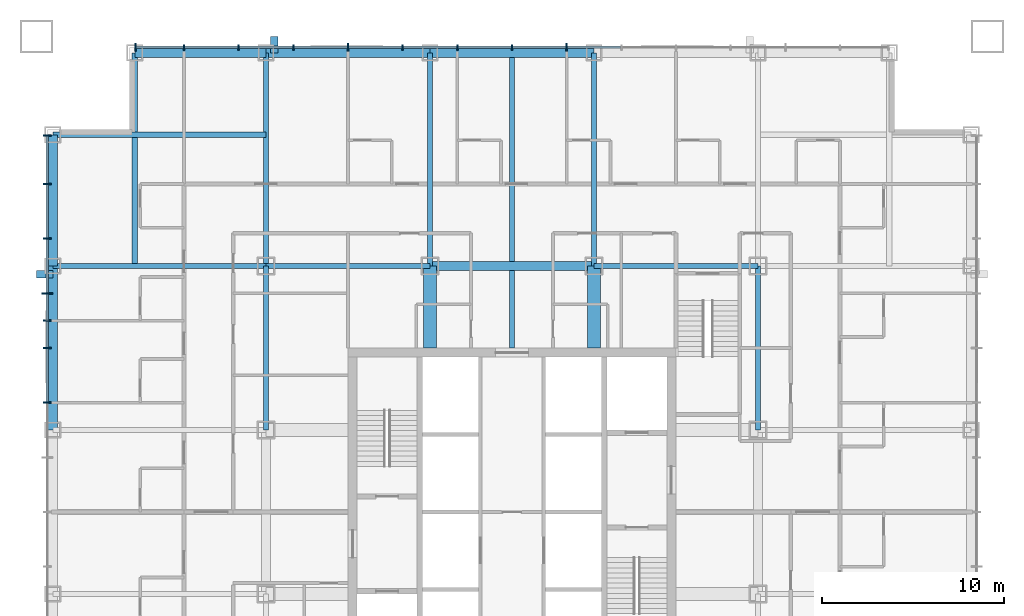
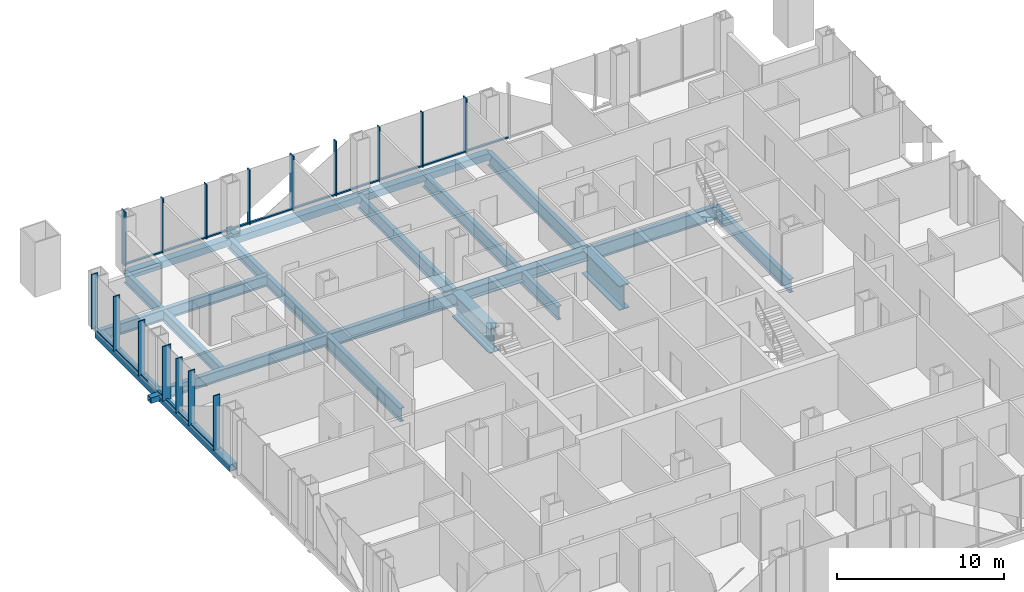
# One storey, part 4 of 14: 33 members, 19 beams, 2 elements without a shape of their own.
"""IFC4 building model written with IfcOpenShell, lengths in metres."""

import ifcopenshell
import ifcopenshell.guid

model = None  # the IFC model being written
_history = None  # IfcOwnerHistory: only IFC2X3 demands one
_inside = {}  # id of a spatial element -> (the spatial element, [elements in it])
_under = {}  # id of a project, library or spatial element -> (it, [spatial elements below it])
_declared = {}  # id of a project -> (the project, [libraries it declares])
_typed = {}  # id of a type object -> (the type object, [elements of that type])
_made_of = {}  # id of a material, layer set ... -> (it, [elements and type objects made of it])


def new_model(schema):
    """Start an empty IFC model of exactly this schema.

    Asked for "IFC4X3", IfcOpenShell would pick the latest addendum, in which some entities
    have other attributes; the version numbers below select the first issue.
    IFC2X3 requires an IfcOwnerHistory on every rooted entity: one is made here for all.
    """
    global model, _history
    if schema == "IFC4X3":
        model = ifcopenshell.file(schema_version=(4, 3, 0, 0))
    else:
        model = ifcopenshell.file(schema=schema)
    _inside.clear()
    _under.clear()
    _declared.clear()
    _typed.clear()
    _made_of.clear()
    _history = None
    if model.schema == "IFC2X3":
        org = make("IfcOrganization", Name="unknown")
        user = make(
            "IfcPersonAndOrganization",
            ThePerson=make("IfcPerson", FamilyName="unknown"),
            TheOrganization=org,
        )
        app = make(
            "IfcApplication",
            ApplicationDeveloper=org,
            Version="unknown",
            ApplicationFullName="unknown",
            ApplicationIdentifier="unknown",
        )
        _history = make(
            "IfcOwnerHistory",
            OwningUser=user,
            OwningApplication=app,
            ChangeAction="ADDED",
            CreationDate=0,
        )
    return model


def make(cls, **values):
    """One entity of the class cls with the attributes given. An attribute that is None is left unset."""
    return model.create_entity(
        cls, **{name: value for name, value in values.items() if value is not None}
    )


def rooted(cls, **values):
    """An entity with a GlobalId (a new one), such as an element, a storey or a relation."""
    return make(cls, GlobalId=ifcopenshell.guid.new(), OwnerHistory=_history, **values)


def si_unit(unit_type, name, prefix=None):
    """IfcSIUnit, for example si_unit("LENGTHUNIT", "METRE", prefix="MILLI")."""
    return make("IfcSIUnit", UnitType=unit_type, Prefix=prefix, Name=name)


def assignment(units):
    """IfcUnitAssignment: the units of a project."""
    return None if units is None else make("IfcUnitAssignment", Units=units)


def point(xyz):
    """IfcCartesianPoint."""
    return None if xyz is None else make("IfcCartesianPoint", Coordinates=xyz)


def direction(xyz):
    """IfcDirection."""
    return None if xyz is None else make("IfcDirection", DirectionRatios=xyz)


def frame(location, z_axis=None, x_axis=None):
    """IfcAxis2Placement3D, a coordinate frame: its origin and axes. An axis left out is left unset."""
    return make(
        "IfcAxis2Placement3D",
        Location=point(location),
        Axis=direction(z_axis),
        RefDirection=direction(x_axis),
    )


def frame_2d(location, x_axis=None):
    """IfcAxis2Placement2D, a coordinate frame in the plane: its origin and x axis."""
    return make(
        "IfcAxis2Placement2D", Location=point(location), RefDirection=direction(x_axis)
    )


def origin():
    """The frame at (0, 0, 0) with its axes left unset."""
    return frame((0.0, 0.0, 0.0))


def origin_2d():
    """The frame at (0, 0) in the plane with its x axis left unset."""
    return frame_2d((0.0, 0.0))


def place(relative_to, where):
    """IfcLocalPlacement: puts the frame where relative to a parent placement (None: the world)."""
    return make(
        "IfcLocalPlacement", PlacementRelTo=relative_to, RelativePlacement=where
    )


def context(
    kind, dimensions, precision=None, world=None, true_north=None, identifier=None
):
    """IfcGeometricRepresentationContext, for example the 3D "Model" context."""
    return make(
        "IfcGeometricRepresentationContext",
        ContextIdentifier=identifier,
        ContextType=kind,
        CoordinateSpaceDimension=dimensions,
        Precision=precision,
        WorldCoordinateSystem=world,
        TrueNorth=true_north,
    )


def subcontext(parent, identifier, kind, view, scale=None):
    """IfcGeometricRepresentationSubContext, for example "Body" below "Model"."""
    return make(
        "IfcGeometricRepresentationSubContext",
        ContextIdentifier=identifier,
        ContextType=kind,
        ParentContext=parent,
        TargetScale=scale,
        TargetView=view,
    )


def project(units=None, contexts=None):
    """IfcProject with its units and contexts."""
    return rooted(
        "IfcProject",
        Name="project",
        RepresentationContexts=contexts,
        UnitsInContext=assignment(units),
    )


def spatial(cls, under=None, at=None, **own):
    """A site, building, storey or space (cls), placed at a placement, below another one or the project."""
    s = rooted(cls, ObjectPlacement=at, **own)
    if under is not None:
        _under.setdefault(under.id(), (under, []))[1].append(s)
    return s


def profile(cls, at=None, kind="AREA", **sizes):
    """A parametric profile (cls). Its sizes go by their IFC names, for example OverallWidth=200.0."""
    return make(cls, ProfileType=kind, Position=at, **sizes)


def rectangle(**sizes):
    """IfcRectangleProfileDef."""
    return profile("IfcRectangleProfileDef", **sizes)


def hollow_rectangle(**sizes):
    """IfcRectangleHollowProfileDef."""
    return profile("IfcRectangleHollowProfileDef", **sizes)


def i_section(**sizes):
    """IfcIShapeProfileDef."""
    return profile("IfcIShapeProfileDef", **sizes)


def extrude(swept, where, along, depth):
    """IfcExtrudedAreaSolid: the profile swept, set in the frame where, extruded along a direction by depth."""
    return make(
        "IfcExtrudedAreaSolid",
        SweptArea=swept,
        Position=where,
        ExtrudedDirection=direction(along),
        Depth=depth,
    )


def shape(context_of_items, identifier, shape_type, items):
    """IfcShapeRepresentation: the items that make up one representation, for example the "Body"."""
    return make(
        "IfcShapeRepresentation",
        ContextOfItems=context_of_items,
        RepresentationIdentifier=identifier,
        RepresentationType=shape_type,
        Items=items,
    )


def material(Name=None, Category=None):
    """IfcMaterial."""
    return make("IfcMaterial", Name=Name, Category=Category)


def layer(
    of_material, thickness, ventilated=None, Name=None, Category=None, Priority=None
):
    """IfcMaterialLayer: one layer of a wall or slab, of a material (None: an air gap)."""
    return make(
        "IfcMaterialLayer",
        Material=of_material,
        LayerThickness=thickness,
        IsVentilated=ventilated,
        Name=Name,
        Category=Category,
        Priority=Priority,
    )


def layer_set(layers, Name=None):
    """IfcMaterialLayerSet."""
    return make("IfcMaterialLayerSet", MaterialLayers=layers, LayerSetName=Name)


def material_profile(
    of_material, cross_section, Name=None, Category=None, Priority=None
):
    """IfcMaterialProfile: a cross section and its material."""
    return make(
        "IfcMaterialProfile",
        Name=Name,
        Material=of_material,
        Profile=cross_section,
        Priority=Priority,
        Category=Category,
    )


def profile_set(profiles, Name=None, composite=None):
    """IfcMaterialProfileSet."""
    return make(
        "IfcMaterialProfileSet",
        Name=Name,
        MaterialProfiles=profiles,
        CompositeProfile=composite,
    )


def made_of(thing, what):
    """Note that an element or type object is made of a material, layer set ...; save() writes the relation."""
    if what is not None:
        _made_of.setdefault(what.id(), (what, []))[1].append(thing)
    return thing


def type_object(cls, material=None, **own):
    """A type object (cls), such as IfcWallType, which elements share."""
    return made_of(rooted(cls, **own), material)


def element(
    cls,
    number,
    at=None,
    inside=None,
    cuts=None,
    type_object=None,
    material=None,
    context=None,
    identifier="Body",
    shape_type=None,
    held_by="IfcProductDefinitionShape",
    body=None,
    shapes=None,
    **own,
):
    """One element of the class cls, such as IfcWall. Its Tag is "e" and its number.

    at: its placement. inside: the storey or other place that contains it. cuts: it is an
    opening in that element (IfcRelVoidsElement). A single representation is given by context,
    identifier, shape_type and body (its items); several are given by shapes. held_by: the class
    of the entity that holds the representations. save() writes the other relations.
    """
    e = rooted(cls, Tag="e%d" % number, ObjectPlacement=at, **own)
    if body is not None:
        shapes = [shape(context, identifier, shape_type, body)]
    if shapes is not None:
        e.Representation = make(held_by, Representations=shapes)
    if inside is not None:
        _inside.setdefault(inside.id(), (inside, []))[1].append(e)
    if cuts is not None:
        rooted(
            "IfcRelVoidsElement", RelatingBuildingElement=cuts, RelatedOpeningElement=e
        )
    if type_object is not None:
        _typed.setdefault(type_object.id(), (type_object, []))[1].append(e)
    return made_of(e, material)


def aggregate(whole, parts):
    """IfcRelAggregates: a whole, such as a stair, and the parts it consists of."""
    return rooted("IfcRelAggregates", RelatingObject=whole, RelatedObjects=parts)


def save(model, path):
    """Write the relations noted so far, then the file.

    IfcRelAggregates (storeys below a building ...), IfcRelContainedInSpatialStructure (elements
    in a storey), IfcRelDefinesByType, IfcRelAssociatesMaterial and IfcRelDeclares: one each for
    every whole, place, type object, material and project.
    """
    for whole, parts in _under.values():
        aggregate(whole, parts)
    for where, things in _inside.values():
        rooted(
            "IfcRelContainedInSpatialStructure",
            RelatedElements=things,
            RelatingStructure=where,
        )
    for kind, things in _typed.values():
        rooted("IfcRelDefinesByType", RelatedObjects=things, RelatingType=kind)
    for what, things in _made_of.values():
        rooted("IfcRelAssociatesMaterial", RelatedObjects=things, RelatingMaterial=what)
    for by, libraries in _declared.values():
        rooted("IfcRelDeclares", RelatingContext=by, RelatedDefinitions=libraries)
    model.write(path)


model = new_model("IFC4")

# Units and contexts
model_context = context("Model", 3, precision=1e-05, world=origin(), true_north=direction((0.0, 1.0)))
body_context = subcontext(model_context, "Body", "Model", "MODEL_VIEW")
ifc_project = project(units=[si_unit("LENGTHUNIT", "METRE"), si_unit("AREAUNIT", "SQUARE_METRE"), si_unit("VOLUMEUNIT", "CUBIC_METRE"), si_unit("PLANEANGLEUNIT", "RADIAN"), si_unit("MASSUNIT", "GRAM", prefix="KILO")], contexts=[model_context])

# Site, building, storey
site_placement = place(None, origin())
site = spatial("IfcSite", under=ifc_project, at=site_placement, CompositionType="ELEMENT")
building_placement = place(site_placement, origin())
building = spatial("IfcBuilding", under=site, at=building_placement, Name="Malebo Sky Hospital", CompositionType="ELEMENT")
storey_placement = place(building_placement, frame((0.0, 0.0, 71.0)))
storey = spatial("IfcBuildingStorey", under=building, at=storey_placement, Name="L16", CompositionType="ELEMENT", Elevation=71.0)

# Curtain wall, members
ifc_material_1 = material(Name="Anodised aluminium, natural silver", Category="aluminium")
ifc_layer_1 = layer(ifc_material_1, 0.25)
ifc_layer_set_1 = layer_set([ifc_layer_1], Name="WARD CURTAIN WALL NORTH AND SOUTH")
curtain_wall_type_1 = type_object("IfcCurtainWallType", Name="WARD CURTAIN WALL NORTH AND SOUTH", PredefinedType="NOTDEFINED", material=ifc_layer_set_1)
curtain_wall_1_placement = place(storey_placement, origin())
curtain_wall_1 = element("IfcCurtainWall", 1, at=curtain_wall_1_placement, inside=storey, type_object=curtain_wall_type_1, Name="NS curtain wall N", PredefinedType="NOTDEFINED")
ifc_material_profile_1 = material_profile(ifc_material_1, rectangle(XDim=0.14990234375, YDim=0.10009765625, at=origin_2d()), Name="ALUMINIUM TRANSOM 150x100")
ifc_profile_set_1 = profile_set([ifc_material_profile_1], Name="Anodised aluminium, natural silver")
member_type_1 = type_object("IfcMemberType", Name="ALUMINIUM TRANSOM 150x100", PredefinedType="USERDEFINED", material=ifc_profile_set_1)
member_1_placement = place(storey_placement, frame((39.375, 87.5, 0.050048828125), z_axis=(1.0, 0.0, 0.0), x_axis=(0.0, 1.0, 0.0)))
member_1 = element("IfcMember", 2, at=member_1_placement, type_object=member_type_1, Name="Transom 1", ObjectType="TRANSOM", PredefinedType="USERDEFINED", context=body_context, shape_type="SweptSolid", body=[
    extrude(rectangle(XDim=0.14990234375, YDim=0.10009765625, at=origin_2d()), origin(), (0.0, 0.0, 1.0), 2.58740234375),
])
member_2_placement = place(storey_placement, frame((42.03759765625, 87.5, 0.050048828125), z_axis=(1.0, 0.0, 0.0), x_axis=(0.0, 1.0, 0.0)))
member_2 = element("IfcMember", 3, at=member_2_placement, type_object=member_type_1, Name="Transom 2", ObjectType="TRANSOM", PredefinedType="USERDEFINED", context=body_context, shape_type="SweptSolid", body=[
    extrude(rectangle(XDim=0.14990234375, YDim=0.10009765625, at=origin_2d()), origin(), (0.0, 0.0, 1.0), 2.9248046875),
])
member_3_placement = place(storey_placement, frame((45.03759765625, 87.5, 0.050048828125), z_axis=(1.0, 0.0, 0.0), x_axis=(0.0, 1.0, 0.0)))
member_3 = element("IfcMember", 4, at=member_3_placement, type_object=member_type_1, Name="Transom 3", ObjectType="TRANSOM", PredefinedType="USERDEFINED", context=body_context, shape_type="SweptSolid", body=[
    extrude(rectangle(XDim=0.14990234375, YDim=0.10009765625, at=origin_2d()), origin(), (0.0, 0.0, 1.0), 2.9248046875),
])
member_4_placement = place(storey_placement, frame((48.03759765625, 87.5, 0.050048828125), z_axis=(1.0, 0.0, 0.0), x_axis=(0.0, 1.0, 0.0)))
member_4 = element("IfcMember", 5, at=member_4_placement, type_object=member_type_1, Name="Transom 4", ObjectType="TRANSOM", PredefinedType="USERDEFINED", context=body_context, shape_type="SweptSolid", body=[
    extrude(rectangle(XDim=0.14990234375, YDim=0.10009765625, at=origin_2d()), origin(), (0.0, 0.0, 1.0), 2.9248046875),
])
member_5_placement = place(storey_placement, frame((51.03759765625, 87.5, 0.050048828125), z_axis=(1.0, 0.0, 0.0), x_axis=(0.0, 1.0, 0.0)))
member_5 = element("IfcMember", 6, at=member_5_placement, type_object=member_type_1, Name="Transom 5", ObjectType="TRANSOM", PredefinedType="USERDEFINED", context=body_context, shape_type="SweptSolid", body=[
    extrude(rectangle(XDim=0.14990234375, YDim=0.10009765625, at=origin_2d()), origin(), (0.0, 0.0, 1.0), 2.9248046875),
])
member_6_placement = place(storey_placement, frame((54.03759765625, 87.5, 0.050048828125), z_axis=(1.0, 0.0, 0.0), x_axis=(0.0, 1.0, 0.0)))
member_6 = element("IfcMember", 7, at=member_6_placement, type_object=member_type_1, Name="Transom 6", ObjectType="TRANSOM", PredefinedType="USERDEFINED", context=body_context, shape_type="SweptSolid", body=[
    extrude(rectangle(XDim=0.14990234375, YDim=0.10009765625, at=origin_2d()), origin(), (0.0, 0.0, 1.0), 2.9248046875),
])
member_7_placement = place(storey_placement, frame((57.03759765625, 87.5, 0.050048828125), z_axis=(1.0, 0.0, 0.0), x_axis=(0.0, 1.0, 0.0)))
member_7 = element("IfcMember", 8, at=member_7_placement, type_object=member_type_1, Name="Transom 7", ObjectType="TRANSOM", PredefinedType="USERDEFINED", context=body_context, shape_type="SweptSolid", body=[
    extrude(rectangle(XDim=0.14990234375, YDim=0.10009765625, at=origin_2d()), origin(), (0.0, 0.0, 1.0), 2.9248046875),
])
member_8_placement = place(storey_placement, frame((60.03759765625, 87.5, 0.050048828125), z_axis=(1.0, 0.0, 0.0), x_axis=(0.0, 1.0, 0.0)))
member_8 = element("IfcMember", 9, at=member_8_placement, type_object=member_type_1, Name="Transom 8", ObjectType="TRANSOM", PredefinedType="USERDEFINED", context=body_context, shape_type="SweptSolid", body=[
    extrude(rectangle(XDim=0.14990234375, YDim=0.10009765625, at=origin_2d()), origin(), (0.0, 0.0, 1.0), 2.9248046875),
])
member_9_placement = place(storey_placement, frame((63.03759765625, 87.5, 0.050048828125), z_axis=(1.0, 0.0, 0.0), x_axis=(0.0, 1.0, 0.0)))
member_9 = element("IfcMember", 10, at=member_9_placement, type_object=member_type_1, Name="Transom 9", ObjectType="TRANSOM", PredefinedType="USERDEFINED", context=body_context, shape_type="SweptSolid", body=[
    extrude(rectangle(XDim=0.14990234375, YDim=0.10009765625, at=origin_2d()), origin(), (0.0, 0.0, 1.0), 2.9248046875),
])

ifc_layer_2 = layer(ifc_material_1, 0.25)
ifc_layer_set_2 = layer_set([ifc_layer_2], Name="WARD CURTAIN WALL EAST AND WEST")
curtain_wall_type_2 = type_object("IfcCurtainWallType", Name="WARD CURTAIN WALL EAST AND WEST", PredefinedType="NOTDEFINED", material=ifc_layer_set_2)
curtain_wall_2_placement = place(storey_placement, origin())
curtain_wall_2 = element("IfcCurtainWall", 11, at=curtain_wall_2_placement, inside=storey, type_object=curtain_wall_type_2, Name="EW curtain wall W", PredefinedType="NOTDEFINED")
member_10_placement = place(storey_placement, frame((34.5, 68.03759765625, 0.050048828125), z_axis=(0.0, 1.0, 0.0), x_axis=(-1.0, 0.0, 0.0)))
member_10 = element("IfcMember", 12, at=member_10_placement, type_object=member_type_1, Name="Transom 10", ObjectType="TRANSOM", PredefinedType="USERDEFINED", context=body_context, shape_type="SweptSolid", body=[
    extrude(rectangle(XDim=0.14990234375, YDim=0.10009765625, at=origin_2d()), origin(), (0.0, 0.0, 1.0), 2.9248046875),
])
member_11_placement = place(storey_placement, frame((34.5, 71.03759765625, 0.050048828125), z_axis=(0.0, 1.0, 0.0), x_axis=(-1.0, 0.0, 0.0)))
member_11 = element("IfcMember", 13, at=member_11_placement, type_object=member_type_1, Name="Transom 11", ObjectType="TRANSOM", PredefinedType="USERDEFINED", context=body_context, shape_type="SweptSolid", body=[
    extrude(rectangle(XDim=0.14990234375, YDim=0.10009765625, at=origin_2d()), origin(), (0.0, 0.0, 1.0), 1.4248046875),
])
member_12_placement = place(storey_placement, frame((34.5, 72.53759765625, 0.050048828125), z_axis=(0.0, 1.0, 0.0), x_axis=(-1.0, 0.0, 0.0)))
member_12 = element("IfcMember", 14, at=member_12_placement, type_object=member_type_1, Name="Transom 12", ObjectType="TRANSOM", PredefinedType="USERDEFINED", context=body_context, shape_type="SweptSolid", body=[
    extrude(rectangle(XDim=0.14990234375, YDim=0.10009765625, at=origin_2d()), origin(), (0.0, 0.0, 1.0), 1.4248046875),
])
member_13_placement = place(storey_placement, frame((34.5, 74.03759765625, 0.050048828125), z_axis=(0.0, 1.0, 0.0), x_axis=(-1.0, 0.0, 0.0)))
member_13 = element("IfcMember", 15, at=member_13_placement, type_object=member_type_1, Name="Transom 13", ObjectType="TRANSOM", PredefinedType="USERDEFINED", context=body_context, shape_type="SweptSolid", body=[
    extrude(rectangle(XDim=0.14990234375, YDim=0.10009765625, at=origin_2d()), origin(), (0.0, 0.0, 1.0), 2.9248046875),
])
member_14_placement = place(storey_placement, frame((34.5, 77.03759765625, 0.050048828125), z_axis=(0.0, 1.0, 0.0), x_axis=(-1.0, 0.0, 0.0)))
member_14 = element("IfcMember", 16, at=member_14_placement, type_object=member_type_1, Name="Transom 14", ObjectType="TRANSOM", PredefinedType="USERDEFINED", context=body_context, shape_type="SweptSolid", body=[
    extrude(rectangle(XDim=0.14990234375, YDim=0.10009765625, at=origin_2d()), origin(), (0.0, 0.0, 1.0), 2.9248046875),
])
member_15_placement = place(storey_placement, frame((34.5, 80.03759765625, 0.050048828125), z_axis=(0.0, 1.0, 0.0), x_axis=(-1.0, 0.0, 0.0)))
member_15 = element("IfcMember", 17, at=member_15_placement, type_object=member_type_1, Name="Transom 15", ObjectType="TRANSOM", PredefinedType="USERDEFINED", context=body_context, shape_type="SweptSolid", body=[
    extrude(rectangle(XDim=0.14990234375, YDim=0.10009765625, at=origin_2d()), origin(), (0.0, 0.0, 1.0), 2.58740234375),
])

# Members
ifc_material_2 = material(Name="Steel S355", Category="steel")
ifc_material_profile_2 = material_profile(ifc_material_2, hollow_rectangle(XDim=0.39990234375, YDim=0.39990234375, WallThickness=0.02001953125, at=origin_2d()), Name="SHS 400x20")
ifc_profile_set_2 = profile_set([ifc_material_profile_2], Name="Steel S355")
member_type_2 = type_object("IfcMemberType", Name="BRACE STRUT SHS 400x20", PredefinedType="STRUT", material=ifc_profile_set_2)
for number, where, z_axis, x_axis, name in (
    (18, (46.949951171875, 88.10009765625, -0.39990234375), (0.0, -1.0, 0.0), (1.0, 0.0, 0.0), "Brace strut AN2 L16"),
    (19, (33.89990234375, 75.050048828125, -0.39990234375), (1.0, 0.0, 0.0), (0.0, 1.0, 0.0), "Brace strut AW1 L16"),
):
    element("IfcMember", number, at=place(storey_placement, frame(where, z_axis=z_axis, x_axis=x_axis)), inside=storey, type_object=member_type_2, Name=name, PredefinedType="STRUT", context=body_context, shape_type="SweptSolid", body=[
        extrude(hollow_rectangle(XDim=0.39990234375, YDim=0.39990234375, WallThickness=0.02001953125, at=origin_2d()), origin(), (0.0, 0.0, 1.0), 0.900146484375),
    ])

# Member
ifc_material_profile_3 = material_profile(ifc_material_1, rectangle(XDim=0.074951171875, YDim=0.300048828125, at=origin_2d()), Name="CW1 ALUMINIUM FIN MULLION 75x300")
ifc_profile_set_3 = profile_set([ifc_material_profile_3], Name="Anodised aluminium, natural silver")
member_type_3 = type_object("IfcMemberType", Name="CW1 ALUMINIUM FIN MULLION 75x300", PredefinedType="MULLION", material=ifc_profile_set_3)
member_16_placement = place(storey_placement, frame((42.0, 87.5, 0.0), z_axis=(0.0, 0.0, 1.0), x_axis=(1.0, 0.0, 0.0)))
member_16 = element("IfcMember", 20, at=member_16_placement, type_object=member_type_3, Name="Fin mullion 2", PredefinedType="MULLION", context=body_context, shape_type="SweptSolid", body=[
    extrude(rectangle(XDim=0.074951171875, YDim=0.300048828125, at=origin_2d()), origin(), (0.0, 0.0, 1.0), 4.0),
])

member_17_placement = place(storey_placement, frame((45.0, 87.5, 0.0), z_axis=(0.0, 0.0, 1.0), x_axis=(1.0, 0.0, 0.0)))
member_17 = element("IfcMember", 21, at=member_17_placement, type_object=member_type_3, Name="Fin mullion 3", PredefinedType="MULLION", context=body_context, shape_type="SweptSolid", body=[
    extrude(rectangle(XDim=0.074951171875, YDim=0.300048828125, at=origin_2d()), origin(), (0.0, 0.0, 1.0), 4.0),
])

member_18_placement = place(storey_placement, frame((48.0, 87.5, 0.0), z_axis=(0.0, 0.0, 1.0), x_axis=(1.0, 0.0, 0.0)))
member_18 = element("IfcMember", 22, at=member_18_placement, type_object=member_type_3, Name="Fin mullion 4", PredefinedType="MULLION", context=body_context, shape_type="SweptSolid", body=[
    extrude(rectangle(XDim=0.074951171875, YDim=0.300048828125, at=origin_2d()), origin(), (0.0, 0.0, 1.0), 4.0),
])

member_19_placement = place(storey_placement, frame((54.0, 87.5, 0.0), z_axis=(0.0, 0.0, 1.0), x_axis=(1.0, 0.0, 0.0)))
member_19 = element("IfcMember", 23, at=member_19_placement, type_object=member_type_3, Name="Fin mullion 6", PredefinedType="MULLION", context=body_context, shape_type="SweptSolid", body=[
    extrude(rectangle(XDim=0.074951171875, YDim=0.300048828125, at=origin_2d()), origin(), (0.0, 0.0, 1.0), 4.0),
])

member_20_placement = place(storey_placement, frame((57.0, 87.5, 0.0), z_axis=(0.0, 0.0, 1.0), x_axis=(1.0, 0.0, 0.0)))
member_20 = element("IfcMember", 24, at=member_20_placement, type_object=member_type_3, Name="Fin mullion 7", PredefinedType="MULLION", context=body_context, shape_type="SweptSolid", body=[
    extrude(rectangle(XDim=0.074951171875, YDim=0.300048828125, at=origin_2d()), origin(), (0.0, 0.0, 1.0), 4.0),
])

member_21_placement = place(storey_placement, frame((60.0, 87.5, 0.0), z_axis=(0.0, 0.0, 1.0), x_axis=(1.0, 0.0, 0.0)))
member_21 = element("IfcMember", 25, at=member_21_placement, type_object=member_type_3, Name="Fin mullion 8", PredefinedType="MULLION", context=body_context, shape_type="SweptSolid", body=[
    extrude(rectangle(XDim=0.074951171875, YDim=0.300048828125, at=origin_2d()), origin(), (0.0, 0.0, 1.0), 4.0),
])

ifc_material_profile_4 = material_profile(ifc_material_1, rectangle(XDim=0.074951171875, YDim=0.449951171875, at=origin_2d()), Name="CW1 ALUMINIUM FIN MULLION 75x450")
ifc_profile_set_4 = profile_set([ifc_material_profile_4], Name="Anodised aluminium, natural silver")
member_type_4 = type_object("IfcMemberType", Name="CW1 ALUMINIUM FIN MULLION 75x450", PredefinedType="MULLION", material=ifc_profile_set_4)
member_22_placement = place(storey_placement, frame((39.33740234375, 87.5, 0.0), z_axis=(0.0, 0.0, 1.0), x_axis=(1.0, 0.0, 0.0)))
member_22 = element("IfcMember", 26, at=member_22_placement, type_object=member_type_4, Name="Fin mullion 1", PredefinedType="MULLION", context=body_context, shape_type="SweptSolid", body=[
    extrude(rectangle(XDim=0.074951171875, YDim=0.449951171875, at=origin_2d()), origin(), (0.0, 0.0, 1.0), 4.0),
])

member_23_placement = place(storey_placement, frame((51.0, 87.5, 0.0), z_axis=(0.0, 0.0, 1.0), x_axis=(1.0, 0.0, 0.0)))
member_23 = element("IfcMember", 27, at=member_23_placement, type_object=member_type_4, Name="Fin mullion 5", PredefinedType="MULLION", context=body_context, shape_type="SweptSolid", body=[
    extrude(rectangle(XDim=0.074951171875, YDim=0.449951171875, at=origin_2d()), origin(), (0.0, 0.0, 1.0), 4.0),
])

member_24_placement = place(storey_placement, frame((63.0, 87.5, 0.0), z_axis=(0.0, 0.0, 1.0), x_axis=(1.0, 0.0, 0.0)))
member_24 = element("IfcMember", 28, at=member_24_placement, type_object=member_type_4, Name="Fin mullion 9", PredefinedType="MULLION", context=body_context, shape_type="SweptSolid", body=[
    extrude(rectangle(XDim=0.074951171875, YDim=0.449951171875, at=origin_2d()), origin(), (0.0, 0.0, 1.0), 4.0),
])

aggregate(curtain_wall_1, [member_22, member_16, member_17, member_18, member_23, member_19, member_20, member_21, member_24, member_1, member_2, member_3, member_4, member_5, member_6, member_7, member_8, member_9])

ifc_material_profile_5 = material_profile(ifc_material_1, rectangle(XDim=0.074951171875, YDim=0.449951171875, at=origin_2d()), Name="CW2 ALUMINIUM FIN MULLION 75x450")
ifc_profile_set_5 = profile_set([ifc_material_profile_5], Name="Anodised aluminium, natural silver")
member_type_5 = type_object("IfcMemberType", Name="CW2 ALUMINIUM FIN MULLION 75x450", PredefinedType="MULLION", material=ifc_profile_set_5)
member_25_placement = place(storey_placement, frame((34.5, 68.0, 0.0), z_axis=(0.0, 0.0, 1.0), x_axis=(0.0, 1.0, 0.0)))
member_25 = element("IfcMember", 29, at=member_25_placement, type_object=member_type_5, Name="Fin mullion 10", PredefinedType="MULLION", context=body_context, shape_type="SweptSolid", body=[
    extrude(rectangle(XDim=0.074951171875, YDim=0.449951171875, at=origin_2d()), origin(), (0.0, 0.0, 1.0), 4.0),
])

member_26_placement = place(storey_placement, frame((34.5, 71.0, 0.0), z_axis=(0.0, 0.0, 1.0), x_axis=(0.0, 1.0, 0.0)))
member_26 = element("IfcMember", 30, at=member_26_placement, type_object=member_type_5, Name="Fin mullion 11", PredefinedType="MULLION", context=body_context, shape_type="SweptSolid", body=[
    extrude(rectangle(XDim=0.074951171875, YDim=0.449951171875, at=origin_2d()), origin(), (0.0, 0.0, 1.0), 4.0),
])

member_27_placement = place(storey_placement, frame((34.5, 72.5, 0.0), z_axis=(0.0, 0.0, 1.0), x_axis=(0.0, 1.0, 0.0)))
member_27 = element("IfcMember", 31, at=member_27_placement, type_object=member_type_5, Name="Fin mullion 12", PredefinedType="MULLION", context=body_context, shape_type="SweptSolid", body=[
    extrude(rectangle(XDim=0.074951171875, YDim=0.449951171875, at=origin_2d()), origin(), (0.0, 0.0, 1.0), 4.0),
])

member_28_placement = place(storey_placement, frame((34.5, 77.0, 0.0), z_axis=(0.0, 0.0, 1.0), x_axis=(0.0, 1.0, 0.0)))
member_28 = element("IfcMember", 32, at=member_28_placement, type_object=member_type_5, Name="Fin mullion 14", PredefinedType="MULLION", context=body_context, shape_type="SweptSolid", body=[
    extrude(rectangle(XDim=0.074951171875, YDim=0.449951171875, at=origin_2d()), origin(), (0.0, 0.0, 1.0), 4.0),
])

member_29_placement = place(storey_placement, frame((34.5, 80.0, 0.0), z_axis=(0.0, 0.0, 1.0), x_axis=(0.0, 1.0, 0.0)))
member_29 = element("IfcMember", 33, at=member_29_placement, type_object=member_type_5, Name="Fin mullion 15", PredefinedType="MULLION", context=body_context, shape_type="SweptSolid", body=[
    extrude(rectangle(XDim=0.074951171875, YDim=0.449951171875, at=origin_2d()), origin(), (0.0, 0.0, 1.0), 4.0),
])

member_30_placement = place(storey_placement, frame((34.5, 82.66259765625, 0.0), z_axis=(0.0, 0.0, 1.0), x_axis=(0.0, 1.0, 0.0)))
member_30 = element("IfcMember", 34, at=member_30_placement, type_object=member_type_5, Name="Fin mullion 16", PredefinedType="MULLION", context=body_context, shape_type="SweptSolid", body=[
    extrude(rectangle(XDim=0.074951171875, YDim=0.449951171875, at=origin_2d()), origin(), (0.0, 0.0, 1.0), 4.0),
])

ifc_material_profile_6 = material_profile(ifc_material_1, rectangle(XDim=0.074951171875, YDim=0.60009765625, at=origin_2d()), Name="CW2 ALUMINIUM FIN MULLION 75x600")
ifc_profile_set_6 = profile_set([ifc_material_profile_6], Name="Anodised aluminium, natural silver")
member_type_6 = type_object("IfcMemberType", Name="CW2 ALUMINIUM FIN MULLION 75x600", PredefinedType="MULLION", material=ifc_profile_set_6)
member_31_placement = place(storey_placement, frame((34.5, 74.0, 0.0), z_axis=(0.0, 0.0, 1.0), x_axis=(0.0, 1.0, 0.0)))
member_31 = element("IfcMember", 35, at=member_31_placement, type_object=member_type_6, Name="Fin mullion 13", PredefinedType="MULLION", context=body_context, shape_type="SweptSolid", body=[
    extrude(rectangle(XDim=0.074951171875, YDim=0.60009765625, at=origin_2d()), origin(), (0.0, 0.0, 1.0), 4.0),
])

aggregate(curtain_wall_2, [member_25, member_26, member_27, member_31, member_28, member_29, member_30, member_10, member_11, member_12, member_13, member_14, member_15])

# Beams
ifc_material_3 = material(Name="Steel S460", Category="steel")
ifc_material_profile_7 = material_profile(ifc_material_3, hollow_rectangle(XDim=0.5, YDim=0.5, WallThickness=0.030029296875, at=origin_2d()), Name="BOX 500x500x30")
ifc_profile_set_7 = profile_set([ifc_material_profile_7], Name="Steel S460")
beam_type_1 = type_object("IfcBeamType", Name="EDGE BEAM BOX 500x500x30", PredefinedType="BEAM", material=ifc_profile_set_7)
beam_1_placement = place(storey_placement, frame((34.800048828125, 66.5, -0.5), z_axis=(0.0, 1.0, 0.0), x_axis=(-1.0, 0.0, 0.0)))
element("IfcBeam", 36, at=beam_1_placement, inside=storey, type_object=beam_type_1, Name="Beam 003 L16", PredefinedType="BEAM", context=body_context, shape_type="SweptSolid", body=[
    extrude(hollow_rectangle(XDim=0.5, YDim=0.5, WallThickness=0.030029296875, at=origin_2d()), origin(), (0.0, 0.0, 1.0), 9.0),
])
for number, where, z_axis, x_axis, name in (
    (37, (34.800048828125, 75.5, -0.5), (0.0, 1.0, 0.0), (-1.0, 0.0, 0.0), "Beam 004 L16"),
    (38, (39.300048828125, 87.199951171875, -0.5), (1.0, 0.0, 0.0), (0.0, 1.0, 0.0), "Beam 063 L16"),
):
    element("IfcBeam", number, at=place(storey_placement, frame(where, z_axis=z_axis, x_axis=x_axis)), inside=storey, type_object=beam_type_1, Name=name, PredefinedType="BEAM", context=body_context, shape_type="SweptSolid", body=[
        extrude(hollow_rectangle(XDim=0.5, YDim=0.5, WallThickness=0.030029296875, at=origin_2d()), origin(), (0.0, 0.0, 1.0), 7.199951171875),
    ])
for number, where, z_axis, x_axis, name in (
    (39, (46.5, 87.199951171875, -0.5), (1.0, 0.0, 0.0), (0.0, 1.0, 0.0), "Beam 064 L16"),
    (40, (55.5, 87.199951171875, -0.5), (1.0, 0.0, 0.0), (0.0, 1.0, 0.0), "Beam 065 L16"),
):
    element("IfcBeam", number, at=place(storey_placement, frame(where, z_axis=z_axis, x_axis=x_axis)), inside=storey, type_object=beam_type_1, Name=name, PredefinedType="BEAM", context=body_context, shape_type="SweptSolid", body=[
        extrude(hollow_rectangle(XDim=0.5, YDim=0.5, WallThickness=0.030029296875, at=origin_2d()), origin(), (0.0, 0.0, 1.0), 9.0),
    ])
ifc_material_profile_8 = material_profile(ifc_material_2, i_section(OverallWidth=0.300048828125, OverallDepth=1.0, WebThickness=0.01904296875, FlangeThickness=0.035888671875, FilletRadius=0.030029296875, at=origin_2d()), Name="HEB 1000")
ifc_profile_set_8 = profile_set([ifc_material_profile_8], Name="Steel S355")
beam_type_2 = type_object("IfcBeamType", Name="FLOOR BEAM HEB 1000", PredefinedType="BEAM", material=ifc_profile_set_8)
beam_2_placement = place(storey_placement, frame((46.5, 66.5, -0.75), z_axis=(0.0, 1.0, 0.0), x_axis=(-1.0, 0.0, 0.0)))
element("IfcBeam", 41, at=beam_2_placement, inside=storey, type_object=beam_type_2, Name="Beam 010 L16", PredefinedType="BEAM", context=body_context, shape_type="SweptSolid", body=[
    extrude(i_section(OverallWidth=0.300048828125, OverallDepth=1.0, WebThickness=0.01904296875, FlangeThickness=0.035888671875, FilletRadius=0.030029296875, at=origin_2d()), origin(), (0.0, 0.0, 1.0), 9.0),
])
beam_3_placement = place(storey_placement, frame((55.5, 75.5, -0.75), z_axis=(0.0, 1.0, 0.0), x_axis=(-1.0, 0.0, 0.0)))
element("IfcBeam", 42, at=beam_3_placement, inside=storey, type_object=beam_type_2, Name="Beam 015 L16", PredefinedType="BEAM", context=body_context, shape_type="SweptSolid", body=[
    extrude(i_section(OverallWidth=0.300048828125, OverallDepth=1.0, WebThickness=0.01904296875, FlangeThickness=0.035888671875, FilletRadius=0.030029296875, at=origin_2d()), origin(), (0.0, 0.0, 1.0), 11.699951171875),
])
beam_4_placement = place(storey_placement, frame((60.0, 71.0, -0.75), z_axis=(0.0, 1.0, 0.0), x_axis=(-1.0, 0.0, 0.0)))
element("IfcBeam", 43, at=beam_4_placement, inside=storey, type_object=beam_type_2, Name="Beam 017 L16", PredefinedType="BEAM", context=body_context, shape_type="SweptSolid", body=[
    extrude(i_section(OverallWidth=0.300048828125, OverallDepth=1.0, WebThickness=0.01904296875, FlangeThickness=0.035888671875, FilletRadius=0.030029296875, at=origin_2d()), origin(), (0.0, 0.0, 1.0), 16.199951171875),
])
beam_5_placement = place(storey_placement, frame((64.5, 75.5, -0.75), z_axis=(0.0, 1.0, 0.0), x_axis=(-1.0, 0.0, 0.0)))
element("IfcBeam", 44, at=beam_5_placement, inside=storey, type_object=beam_type_2, Name="Beam 021 L16", PredefinedType="BEAM", context=body_context, shape_type="SweptSolid", body=[
    extrude(i_section(OverallWidth=0.300048828125, OverallDepth=1.0, WebThickness=0.01904296875, FlangeThickness=0.035888671875, FilletRadius=0.030029296875, at=origin_2d()), origin(), (0.0, 0.0, 1.0), 11.699951171875),
])
for number, where, z_axis, x_axis, name in (
    (45, (73.5, 66.5, -0.75), (0.0, 1.0, 0.0), (-1.0, 0.0, 0.0), "Beam 025 L16"),
    (46, (46.5, 75.5, -0.75), (1.0, 0.0, 0.0), (0.0, 1.0, 0.0), "Beam 057 L16"),
    (47, (64.5, 75.5, -0.75), (1.0, 0.0, 0.0), (0.0, 1.0, 0.0), "Beam 059 L16"),
):
    element("IfcBeam", number, at=place(storey_placement, frame(where, z_axis=z_axis, x_axis=x_axis)), inside=storey, type_object=beam_type_2, Name=name, PredefinedType="BEAM", context=body_context, shape_type="SweptSolid", body=[
        extrude(i_section(OverallWidth=0.300048828125, OverallDepth=1.0, WebThickness=0.01904296875, FlangeThickness=0.035888671875, FilletRadius=0.030029296875, at=origin_2d()), origin(), (0.0, 0.0, 1.0), 9.0),
    ])
ifc_material_profile_9 = material_profile(ifc_material_2, i_section(OverallWidth=0.300048828125, OverallDepth=0.800048828125, WebThickness=0.017578125, FlangeThickness=0.032958984375, FilletRadius=0.030029296875, at=origin_2d()), Name="HEB 800")
ifc_profile_set_9 = profile_set([ifc_material_profile_9], Name="Steel S355")
beam_type_3 = type_object("IfcBeamType", Name="FLOOR BEAM HEB 800", PredefinedType="BEAM", material=ifc_profile_set_9)
for number, where, z_axis, x_axis, name in (
    (48, (39.300048828125, 75.5, -0.64990234375), (0.0, 1.0, 0.0), (-1.0, 0.0, 0.0), "Beam 006 L16"),
    (49, (34.800048828125, 82.699951171875, -0.64990234375), (1.0, 0.0, 0.0), (0.0, 1.0, 0.0), "Beam 061 L16"),
):
    element("IfcBeam", number, at=place(storey_placement, frame(where, z_axis=z_axis, x_axis=x_axis)), inside=storey, type_object=beam_type_3, Name=name, PredefinedType="BEAM", context=body_context, shape_type="SweptSolid", body=[
        extrude(i_section(OverallWidth=0.300048828125, OverallDepth=0.800048828125, WebThickness=0.017578125, FlangeThickness=0.032958984375, FilletRadius=0.030029296875, at=origin_2d()), origin(), (0.0, 0.0, 1.0), 11.699951171875),
    ])
ifc_material_profile_10 = material_profile(ifc_material_2, i_section(OverallWidth=0.699951171875, OverallDepth=1.800048828125, WebThickness=0.034912109375, FlangeThickness=0.070068359375, at=origin_2d()), Name="PG 1800x700x35x70")
ifc_profile_set_10 = profile_set([ifc_material_profile_10], Name="Steel S355")
beam_type_4 = type_object("IfcBeamType", Name="FLOOR BEAM PG 1800x700x35x70", PredefinedType="BEAM", material=ifc_profile_set_10)
for number, where, z_axis, x_axis, name in (
    (50, (55.5, 71.0, -1.14990234375), (0.0, 1.0, 0.0), (-1.0, 0.0, 0.0), "Beam 014 L16"),
    (51, (64.5, 71.0, -1.14990234375), (0.0, 1.0, 0.0), (-1.0, 0.0, 0.0), "Beam 020 L16"),
):
    element("IfcBeam", number, at=place(storey_placement, frame(where, z_axis=z_axis, x_axis=x_axis)), inside=storey, type_object=beam_type_4, Name=name, PredefinedType="BEAM", context=body_context, shape_type="SweptSolid", body=[
        extrude(i_section(OverallWidth=0.699951171875, OverallDepth=1.800048828125, WebThickness=0.034912109375, FlangeThickness=0.070068359375, at=origin_2d()), origin(), (0.0, 0.0, 1.0), 4.5),
    ])
ifc_material_profile_11 = material_profile(ifc_material_2, i_section(OverallWidth=0.300048828125, OverallDepth=0.800048828125, WebThickness=0.017578125, FlangeThickness=0.032958984375, FilletRadius=0.030029296875, at=origin_2d()), Name="HEB 800")
ifc_profile_set_11 = profile_set([ifc_material_profile_11], Name="Steel S355")
beam_type_5 = type_object("IfcBeamType", Name="FLOOR GIRDER HEB 800", PredefinedType="BEAM", material=ifc_profile_set_11)
for number, where, z_axis, x_axis, name in (
    (52, (46.5, 75.5, -0.64990234375), (0.0, 1.0, 0.0), (-1.0, 0.0, 0.0), "Beam 011 L16"),
    (53, (34.800048828125, 75.5, -0.64990234375), (1.0, 0.0, 0.0), (0.0, 1.0, 0.0), "Beam 056 L16"),
):
    element("IfcBeam", number, at=place(storey_placement, frame(where, z_axis=z_axis, x_axis=x_axis)), inside=storey, type_object=beam_type_5, Name=name, PredefinedType="BEAM", context=body_context, shape_type="SweptSolid", body=[
        extrude(i_section(OverallWidth=0.300048828125, OverallDepth=0.800048828125, WebThickness=0.017578125, FlangeThickness=0.032958984375, FilletRadius=0.030029296875, at=origin_2d()), origin(), (0.0, 0.0, 1.0), 11.699951171875),
    ])
ifc_material_profile_12 = material_profile(ifc_material_2, i_section(OverallWidth=0.5, OverallDepth=0.800048828125, WebThickness=0.030029296875, FlangeThickness=0.050048828125, at=origin_2d()), Name="PG 800x500x30x50")
ifc_profile_set_12 = profile_set([ifc_material_profile_12], Name="Steel S355")
beam_type_6 = type_object("IfcBeamType", Name="RING GIRDER PG 800x500x30x50", PredefinedType="BEAM", material=ifc_profile_set_12)
beam_6_placement = place(storey_placement, frame((55.5, 75.5, -0.64990234375), z_axis=(1.0, 0.0, 0.0), x_axis=(0.0, 1.0, 0.0)))
element("IfcBeam", 54, at=beam_6_placement, inside=storey, type_object=beam_type_6, Name="Beam 058 L16", PredefinedType="BEAM", context=body_context, shape_type="SweptSolid", body=[
    extrude(i_section(OverallWidth=0.5, OverallDepth=0.800048828125, WebThickness=0.030029296875, FlangeThickness=0.050048828125, at=origin_2d()), origin(), (0.0, 0.0, 1.0), 9.0),
])

save(model, "model.ifc")
